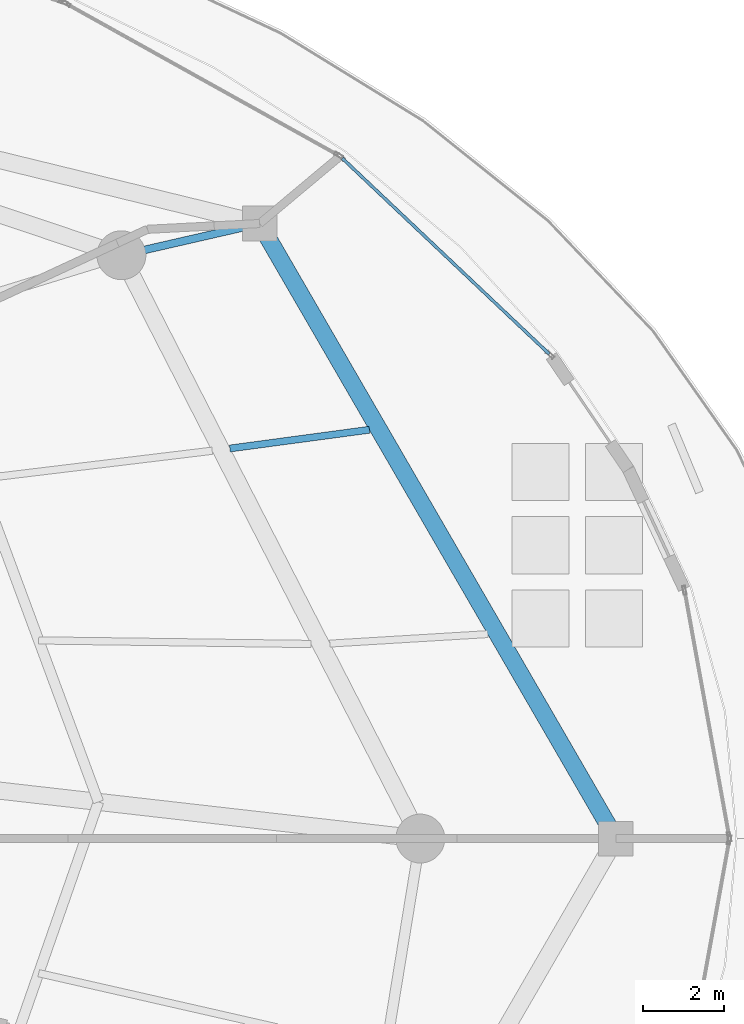
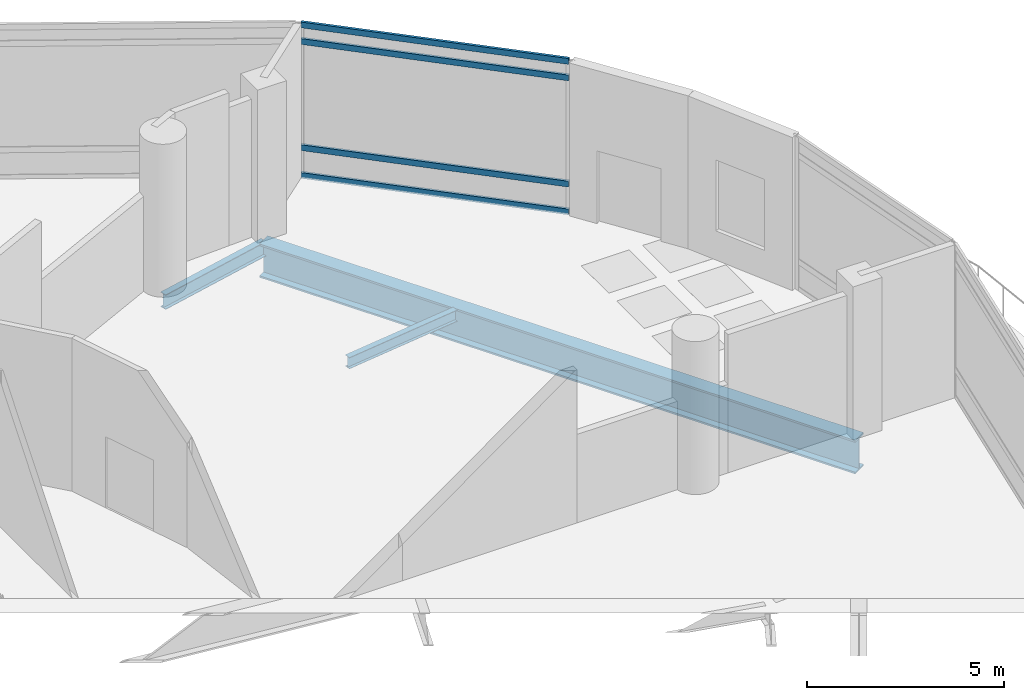
# One storey, part 20 of 34: 4 members, 3 beams, 1 element without a shape of its own.
"""IFC4 building model written with IfcOpenShell, lengths in metres."""

from ifc_helpers import new_model, si_unit, direction, frame, origin, origin_2d, place, context, subcontext, project, spatial, hollow_rectangle, i_section, extrude, material, layer, layer_set, material_profile, profile_set, type_object, element, aggregate, save


model = new_model("IFC4")

# Units and contexts
model_context = context("Model", 3, precision=1e-05, world=origin(), true_north=direction((0.0, 1.0)))
body_context = subcontext(model_context, "Body", "Model", "MODEL_VIEW")
ifc_project = project(units=[si_unit("LENGTHUNIT", "METRE"), si_unit("AREAUNIT", "SQUARE_METRE"), si_unit("VOLUMEUNIT", "CUBIC_METRE"), si_unit("PLANEANGLEUNIT", "RADIAN"), si_unit("MASSUNIT", "GRAM", prefix="KILO")], contexts=[model_context])

# Site, building, storey
site_placement = place(None, origin())
site = spatial("IfcSite", under=ifc_project, at=site_placement, CompositionType="ELEMENT")
building_placement = place(site_placement, origin())
building = spatial("IfcBuilding", under=site, at=building_placement, Name="Nuhasar Tower", CompositionType="ELEMENT")
storey_placement = place(building_placement, frame((0.0, 0.0, 16.0)))
storey = spatial("IfcBuildingStorey", under=building, at=storey_placement, Name="L03", CompositionType="ELEMENT", Elevation=16.0)

# Beams
ifc_material_1 = material(Name="Steel S355", Category="steel")
ifc_material_profile_1 = material_profile(ifc_material_1, i_section(OverallWidth=0.1708984375, OverallDepth=0.35205078125, WebThickness=0.0068359375, FlangeThickness=0.009765625, at=origin_2d()), Name="W14X30")
ifc_profile_set_1 = profile_set([ifc_material_profile_1], Name="Steel S355")
beam_type_1 = type_object("IfcBeamType", Name="BM-JST-W14X30", PredefinedType="JOIST", material=ifc_profile_set_1)
beam_1_placement = place(storey_placement, frame((59.375, 36.375, -0.47607421875), z_axis=(0.991102825543, 0.133098419226, 0.0), x_axis=(-0.133098419226, 0.991102825543, 0.0)))
element("IfcBeam", 1, at=beam_1_placement, inside=storey, type_object=beam_type_1, Name="L03 Podium Secondary Joist 08", PredefinedType="JOIST", context=body_context, shape_type="SweptSolid", body=[
    extrude(i_section(OverallWidth=0.1708984375, OverallDepth=0.35205078125, WebThickness=0.0068359375, FlangeThickness=0.009765625, at=origin_2d()), origin(), (0.0, 0.0, 1.0), 3.455810546875),
])
ifc_material_profile_2 = material_profile(ifc_material_1, i_section(OverallWidth=0.18994140625, OverallDepth=0.45703125, WebThickness=0.009033203125, FlangeThickness=0.014404296875, at=origin_2d()), Name="W18X50")
ifc_profile_set_2 = profile_set([ifc_material_profile_2], Name="Steel S355")
beam_type_2 = type_object("IfcBeamType", Name="BM-RAD-W18X50", PredefinedType="BEAM", material=ifc_profile_set_2)
beam_2_placement = place(storey_placement, frame((56.712890625, 41.118896484375, -0.529052734375), z_axis=(0.974715141502, 0.223451097394, 0.0), x_axis=(-0.223451097394, 0.974715141502, 0.0)))
element("IfcBeam", 2, at=beam_2_placement, inside=storey, type_object=beam_type_2, Name="L03 Podium Radial Girder 05", PredefinedType="BEAM", context=body_context, shape_type="SweptSolid", body=[
    extrude(i_section(OverallWidth=0.18994140625, OverallDepth=0.45703125, WebThickness=0.009033203125, FlangeThickness=0.014404296875, at=origin_2d()), origin(), (0.0, 0.0, 1.0), 3.482177734375),
])
ifc_material_2 = material(Name="Steel S460", Category="steel")
ifc_material_profile_3 = material_profile(ifc_material_2, i_section(OverallWidth=0.419921875, OverallDepth=1.0400390625, WebThickness=0.031005859375, FlangeThickness=0.055908203125, at=origin_2d()), Name="W40X397")
ifc_profile_set_3 = profile_set([ifc_material_profile_3], Name="Steel S460")
beam_type_3 = type_object("IfcBeamType", Name="BM-XFER-W40X397", PredefinedType="USERDEFINED", material=ifc_profile_set_3)
beam_3_placement = place(storey_placement, frame((68.85009765625, 26.800048828125, -0.820068359375), z_axis=(-0.501158177185, 0.865355696486, 0.0), x_axis=(-0.865355696486, -0.501158177185, 0.0)))
element("IfcBeam", 3, at=beam_3_placement, inside=storey, type_object=beam_type_3, Name="L03 Podium Ring Girder 04", ObjectType="GIRDER", PredefinedType="USERDEFINED", context=body_context, shape_type="SweptSolid", body=[
    extrude(i_section(OverallWidth=0.419921875, OverallDepth=1.0400390625, WebThickness=0.031005859375, FlangeThickness=0.055908203125, at=origin_2d()), origin(), (0.0, 0.0, 1.0), 17.44580078125),
])

# Curtain wall, members
ifc_material_3 = material(Name="Aluminium 6063-T6", Category="aluminium")
ifc_layer = layer(ifc_material_3, 0.219970703125)
ifc_layer_set = layer_set([ifc_layer], Name="Aluminium 6063-T6")
curtain_wall_type = type_object("IfcCurtainWallType", Name="CW-PODIUM", PredefinedType="NOTDEFINED", material=ifc_layer_set)
curtain_wall_placement = place(storey_placement, origin())
curtain_wall = element("IfcCurtainWall", 4, at=curtain_wall_placement, inside=storey, type_object=curtain_wall_type, Name="L03 Podium Curtain Wall Bay 03", PredefinedType="NOTDEFINED")
ifc_material_profile_4 = material_profile(ifc_material_3, hollow_rectangle(XDim=0.074951171875, YDim=0.179931640625, WallThickness=0.00439453125, at=origin_2d()), Name="CWT-1")
ifc_profile_set_4 = profile_set([ifc_material_profile_4], Name="Aluminium 6063-T6")
member_type = type_object("IfcMemberType", Name="CW-TRN-S1", PredefinedType="USERDEFINED", material=ifc_profile_set_4)
member_1_placement = place(storey_placement, frame((67.21240234375, 38.696533203125, 0.03759765625), z_axis=(-0.726498578965, 0.687167966921, 0.0), x_axis=(-0.687167966921, -0.726498578965, 0.0)))
member_1 = element("IfcMember", 5, at=member_1_placement, type_object=member_type, Name="CW-P1 transom 1.1", ObjectType="TRANSOM", PredefinedType="USERDEFINED", context=body_context, shape_type="SweptSolid", body=[
    extrude(hollow_rectangle(XDim=0.074951171875, YDim=0.179931640625, WallThickness=0.00439453125, at=origin_2d()), origin(), (0.0, 0.0, 1.0), 6.989501953125),
])
member_2_placement = place(storey_placement, frame((67.21240234375, 38.696533203125, 0.89990234375), z_axis=(-0.726498578965, 0.687167966921, 0.0), x_axis=(-0.687167966921, -0.726498578965, 0.0)))
member_2 = element("IfcMember", 6, at=member_2_placement, type_object=member_type, Name="CW-P1 transom 1.2", ObjectType="TRANSOM", PredefinedType="USERDEFINED", context=body_context, shape_type="SweptSolid", body=[
    extrude(hollow_rectangle(XDim=0.074951171875, YDim=0.179931640625, WallThickness=0.00439453125, at=origin_2d()), origin(), (0.0, 0.0, 1.0), 6.989501953125),
])
member_3_placement = place(storey_placement, frame((67.21240234375, 38.696533203125, 4.18994140625), z_axis=(-0.726498578965, 0.687167966921, 0.0), x_axis=(-0.687167966921, -0.726498578965, 0.0)))
member_3 = element("IfcMember", 7, at=member_3_placement, type_object=member_type, Name="CW-P1 transom 1.3", ObjectType="TRANSOM", PredefinedType="USERDEFINED", context=body_context, shape_type="SweptSolid", body=[
    extrude(hollow_rectangle(XDim=0.074951171875, YDim=0.179931640625, WallThickness=0.00439453125, at=origin_2d()), origin(), (0.0, 0.0, 1.0), 6.989501953125),
])
member_4_placement = place(storey_placement, frame((67.21240234375, 38.696533203125, 4.702392578125), z_axis=(-0.726498578965, 0.687167966921, 0.0), x_axis=(-0.687167966921, -0.726498578965, 0.0)))
member_4 = element("IfcMember", 8, at=member_4_placement, type_object=member_type, Name="CW-P1 transom 1.4", ObjectType="TRANSOM", PredefinedType="USERDEFINED", context=body_context, shape_type="SweptSolid", body=[
    extrude(hollow_rectangle(XDim=0.074951171875, YDim=0.179931640625, WallThickness=0.00439453125, at=origin_2d()), origin(), (0.0, 0.0, 1.0), 6.989501953125),
])
aggregate(curtain_wall, [member_1, member_2, member_3, member_4])

save(model, "model.ifc")
